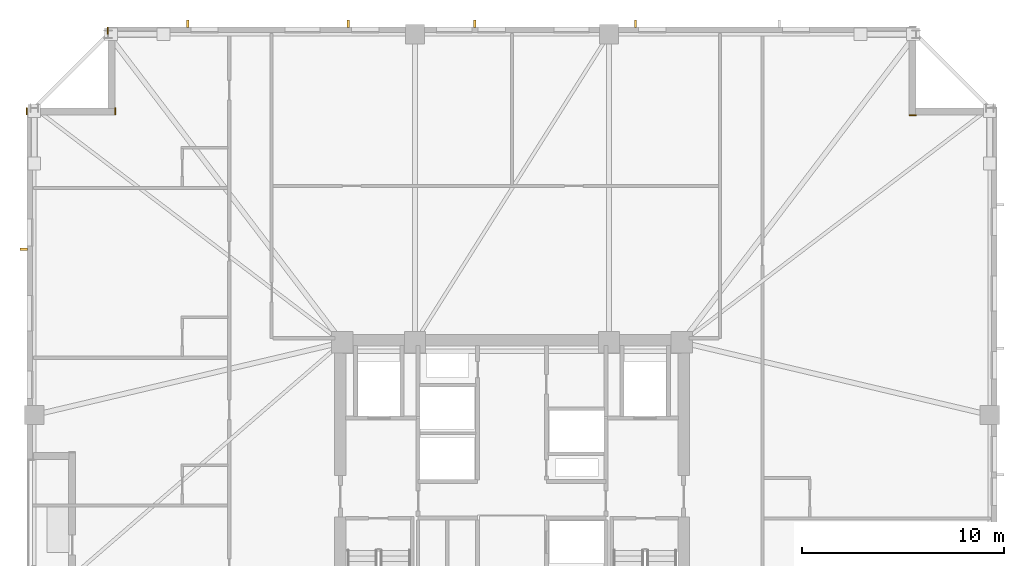
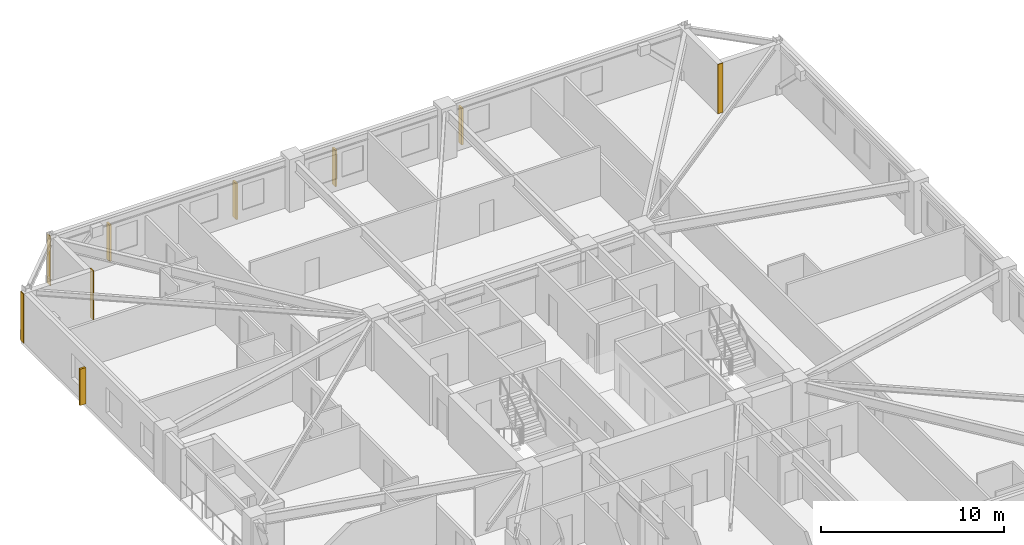
# One storey, part 10 of 11: 5 shading devices, 4 coverings.
"""IFC4 building model written with IfcOpenShell, lengths in metres."""

from ifc_helpers import new_model, si_unit, direction, frame, frame_2d, origin, origin_2d, place, context, subcontext, project, spatial, rectangle, extrude, material, layer, layer_set, type_object, element, save


model = new_model("IFC4")

# Units and contexts
model_context = context("Model", 3, precision=1e-05, world=origin(), true_north=direction((0.0, 1.0)))
body_context = subcontext(model_context, "Body", "Model", "MODEL_VIEW")
ifc_project = project(units=[si_unit("LENGTHUNIT", "METRE"), si_unit("AREAUNIT", "SQUARE_METRE"), si_unit("VOLUMEUNIT", "CUBIC_METRE"), si_unit("PLANEANGLEUNIT", "RADIAN"), si_unit("MASSUNIT", "GRAM", prefix="KILO")], contexts=[model_context])

# Site, building, storey
site_placement = place(None, origin())
site = spatial("IfcSite", under=ifc_project, at=site_placement, CompositionType="ELEMENT")
building_placement = place(site_placement, origin())
building = spatial("IfcBuilding", under=site, at=building_placement, Name="Cairnveth Concourse Tower", CompositionType="ELEMENT")
storey_placement = place(building_placement, frame((0.0, 0.0, 120.0)))
storey = spatial("IfcBuildingStorey", under=building, at=storey_placement, Name="L32", CompositionType="ELEMENT", Elevation=120.0)

# Coverings
ifc_material_1 = material(Name="Dressed Melbourne Bluestone Cladding", Category="masonry")
ifc_layer = layer(ifc_material_1, 0.050048828125)
ifc_layer_set = layer_set([ifc_layer], Name="Dressed Melbourne Bluestone Cladding")
covering_type = type_object("IfcCoveringType", Name="DRESSED BLUESTONE PLINTH CLADDING 50", PredefinedType="CLADDING", material=ifc_layer_set)
for number, where, z_axis, x_axis, name in (
    (1, (27.97998046875, 58.659912109375, 0.0), (0.0, 0.0, 1.0), (0.0, 1.0, 0.0), "Melbourne Bluestone Corner Quoin L32-452"),
    (2, (32.360107421875, 58.659912109375, 0.0), (0.0, 0.0, 1.0), (0.0, 1.0, 0.0), "Melbourne Bluestone Corner Quoin L32-453"),
    (3, (31.97998046875, 62.659912109375, 0.0), (0.0, 0.0, 1.0), (0.0, 1.0, 0.0), "Melbourne Bluestone Corner Quoin L32-454"),
    (4, (71.659912109375, 58.639892578125, 0.0), (0.0, 0.0, 1.0), (1.0, 0.0, 0.0), "Melbourne Bluestone Corner Quoin L32-456"),
):
    element("IfcCovering", number, at=place(storey_placement, frame(where, z_axis=z_axis, x_axis=x_axis)), inside=storey, type_object=covering_type, Name=name, PredefinedType="CLADDING", context=body_context, shape_type="SweptSolid", body=[
        extrude(rectangle(XDim=0.340087890625, YDim=0.050048828125, at=frame_2d((0.169921875, 0.0))), origin(), (0.0, 0.0, 1.0), 3.280029296875),
    ])

# Shading devices
ifc_material_2 = material(Name="Architectural Bronze Anodised Aluminium 6063-T6", Category="aluminium")
shading_device_type = type_object("IfcShadingDeviceType", Name="GOTHIC BRONZE VERTICAL LANCET FIN", PredefinedType="USERDEFINED", material=ifc_material_2)
for number, where, z_axis, x_axis, name in (
    (5, (27.824951171875, 52.0, 0.030029296875), (0.0, 0.0, 1.0), (0.0, 1.0, 0.0), "Gothic Bronze Vertical Fin L32-0-3"),
    (6, (35.94189453125, 63.175048828125, 0.030029296875), (0.0, 0.0, 1.0), (1.0, 0.0, 0.0), "Gothic Bronze Vertical Fin L32-3-1"),
    (7, (43.89892578125, 63.175048828125, 0.030029296875), (0.0, 0.0, 1.0), (1.0, 0.0, 0.0), "Gothic Bronze Vertical Fin L32-3-3"),
    (8, (50.156005859375, 63.175048828125, 0.030029296875), (0.0, 0.0, 1.0), (1.0, 0.0, 0.0), "Gothic Bronze Vertical Fin L32-3-5"),
    (9, (58.113037109375, 63.175048828125, 0.030029296875), (0.0, 0.0, 1.0), (1.0, 0.0, 0.0), "Gothic Bronze Vertical Fin L32-3-7"),
):
    element("IfcShadingDevice", number, at=place(storey_placement, frame(where, z_axis=z_axis, x_axis=x_axis)), inside=storey, type_object=shading_device_type, Name=name, ObjectType="VERTICAL FIN", PredefinedType="USERDEFINED", context=body_context, shape_type="SweptSolid", body=[
        extrude(rectangle(XDim=0.1201171875, YDim=0.360107421875, at=origin_2d()), origin(), (0.0, 0.0, 1.0), 2.419921875),
    ])

save(model, "model.ifc")
